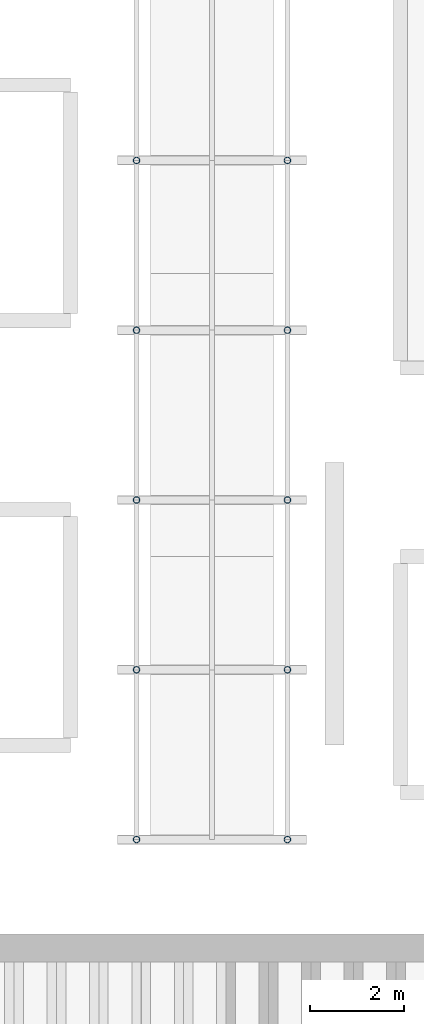
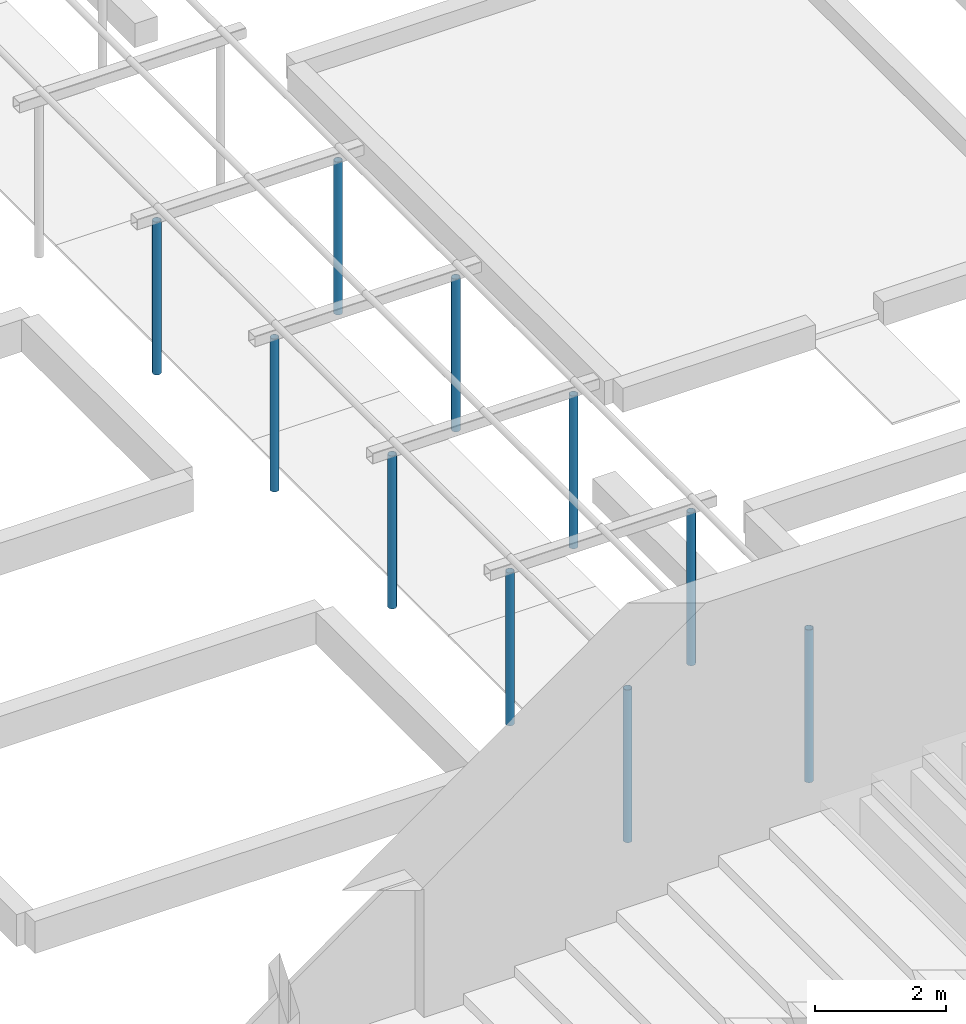
# One storey, part 2 of 71: 10 columns.
"""IFC4 building model written with IfcOpenShell, lengths in metres."""

from ifc_helpers import new_model, si_unit, direction, frame, origin, origin_2d, place, context, subcontext, project, spatial, hollow_circle, extrude, material, material_profile, profile_set, type_object, element, save


model = new_model("IFC4")

# Units and contexts
model_context = context("Model", 3, precision=1e-05, world=origin(), true_north=direction((0.0, 1.0)))
body_context = subcontext(model_context, "Body", "Model", "MODEL_VIEW")
ifc_project = project(units=[si_unit("LENGTHUNIT", "METRE"), si_unit("AREAUNIT", "SQUARE_METRE"), si_unit("VOLUMEUNIT", "CUBIC_METRE"), si_unit("PLANEANGLEUNIT", "RADIAN"), si_unit("MASSUNIT", "GRAM", prefix="KILO")], contexts=[model_context])

# Site, building, storey
site_placement = place(None, origin())
site = spatial("IfcSite", under=ifc_project, at=site_placement, CompositionType="ELEMENT")
building_placement = place(site_placement, origin())
building = spatial("IfcBuilding", under=site, at=building_placement, Name="Basin Gate Institute", CompositionType="ELEMENT")
storey_placement = place(building_placement, origin())
storey = spatial("IfcBuildingStorey", under=building, at=storey_placement, Name="L00", CompositionType="ELEMENT", Elevation=0.0)

# Columns
ifc_material = material(Name="Structural steel SN490", Category="steel")
ifc_material_profile = material_profile(ifc_material, hollow_circle(Radius=0.06982421875, WallThickness=0.006103515625, at=origin_2d()), Name="CHS139x6")
ifc_profile_set = profile_set([ifc_material_profile], Name="Structural steel SN490")
column_type = type_object("IfcColumnType", Name="Court steel TD4 Column column", PredefinedType="COLUMN", material=ifc_profile_set)
for number, where, z_axis, x_axis, name in (
    (1, (40.39990234375, 68.0, -0.050048828125), (0.0, 0.0, 1.0), (1.0, 0.0, 0.0), "Laboratory Garden pergola post"),
    (2, (43.60009765625, 68.0, -0.050048828125), (0.0, 0.0, 1.0), (1.0, 0.0, 0.0), "Laboratory Garden pergola post"),
    (3, (40.39990234375, 71.60009765625, -0.050048828125), (0.0, 0.0, 1.0), (1.0, 0.0, 0.0), "Laboratory Garden pergola post"),
    (4, (43.60009765625, 71.60009765625, -0.050048828125), (0.0, 0.0, 1.0), (1.0, 0.0, 0.0), "Laboratory Garden pergola post"),
    (5, (40.39990234375, 75.199951171875, -0.050048828125), (0.0, 0.0, 1.0), (1.0, 0.0, 0.0), "Laboratory Garden pergola post"),
    (6, (43.60009765625, 75.199951171875, -0.050048828125), (0.0, 0.0, 1.0), (1.0, 0.0, 0.0), "Laboratory Garden pergola post"),
    (7, (40.39990234375, 78.800048828125, -0.050048828125), (0.0, 0.0, 1.0), (1.0, 0.0, 0.0), "Laboratory Garden pergola post"),
    (8, (43.60009765625, 78.800048828125, -0.050048828125), (0.0, 0.0, 1.0), (1.0, 0.0, 0.0), "Laboratory Garden pergola post"),
    (9, (40.39990234375, 82.39990234375, -0.050048828125), (0.0, 0.0, 1.0), (1.0, 0.0, 0.0), "Laboratory Garden pergola post"),
    (10, (43.60009765625, 82.39990234375, -0.050048828125), (0.0, 0.0, 1.0), (1.0, 0.0, 0.0), "Laboratory Garden pergola post"),
):
    element("IfcColumn", number, at=place(storey_placement, frame(where, z_axis=z_axis, x_axis=x_axis)), inside=storey, type_object=column_type, material=ifc_profile_set, Name=name, PredefinedType="COLUMN", context=body_context, shape_type="SweptSolid", body=[
        extrude(hollow_circle(Radius=0.06982421875, WallThickness=0.006103515625, at=origin_2d()), origin(), (0.0, 0.0, 1.0), 2.85009765625),
    ])

save(model, "model.ifc")
